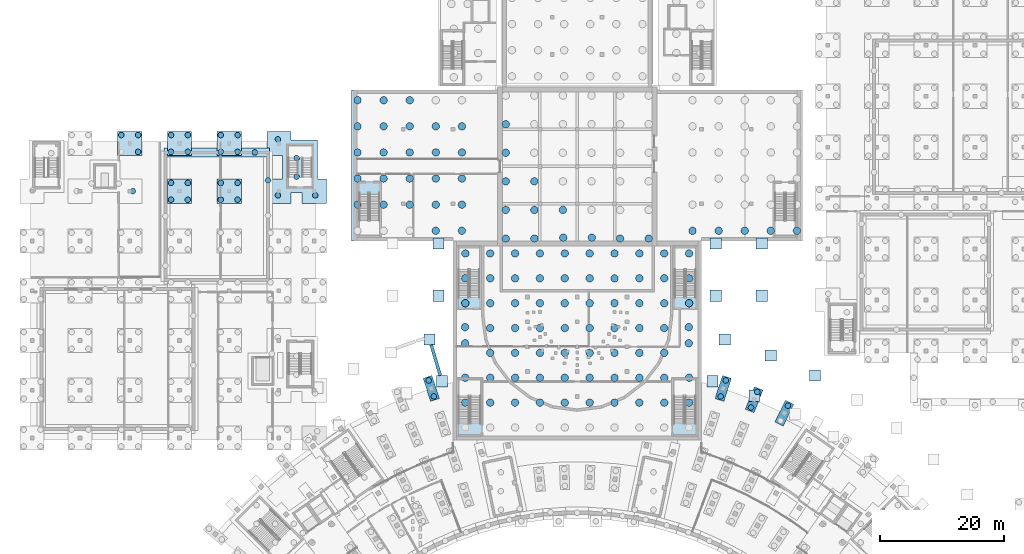
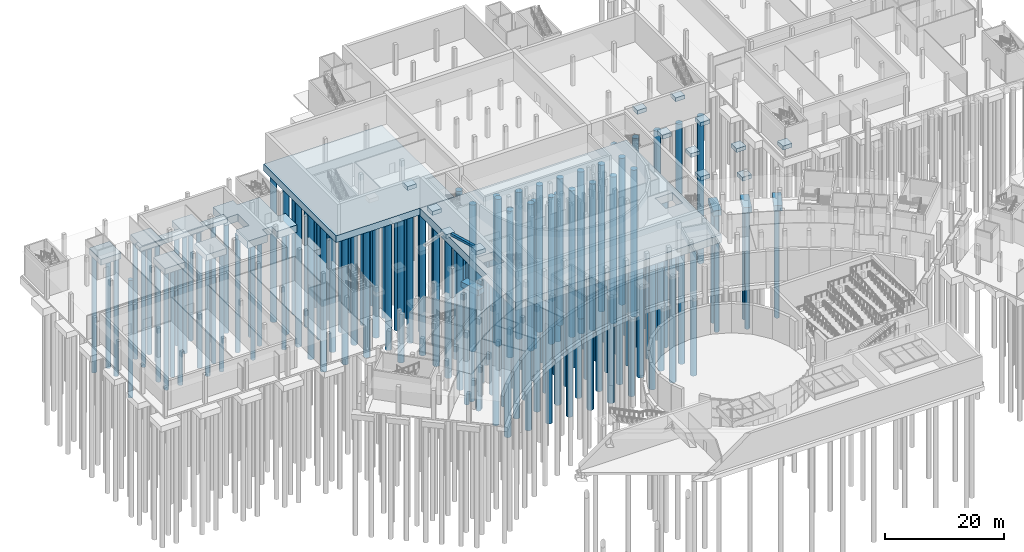
# One storey, part 6 of 66: 147 piles, 27 footings.
"""IFC4 building model written with IfcOpenShell, lengths in metres."""

from ifc_helpers import new_model, si_unit, direction, frame, origin, origin_2d, place, context, subcontext, project, spatial, polyline, circle, outline, extrude, material, material_profile, profile_set, type_object, element, save


model = new_model("IFC4")

# Units and contexts
model_context = context("Model", 3, precision=1e-05, world=origin(), true_north=direction((0.0, 1.0)))
body_context = subcontext(model_context, "Body", "Model", "MODEL_VIEW")
ifc_project = project(units=[si_unit("LENGTHUNIT", "METRE"), si_unit("AREAUNIT", "SQUARE_METRE"), si_unit("VOLUMEUNIT", "CUBIC_METRE"), si_unit("PLANEANGLEUNIT", "RADIAN"), si_unit("MASSUNIT", "GRAM", prefix="KILO")], contexts=[model_context])

# Site, building, storey
site_placement = place(None, origin())
site = spatial("IfcSite", under=ifc_project, at=site_placement, CompositionType="ELEMENT")
building_placement = place(site_placement, origin())
building = spatial("IfcBuilding", under=site, at=building_placement, Name="Lunette Opera House", CompositionType="ELEMENT")
storey_placement = place(building_placement, frame((0.0, 0.0, -6.0)))
storey = spatial("IfcBuildingStorey", under=building, at=storey_placement, Name="B1", CompositionType="ELEMENT", Elevation=-6.0)

# Piles
ifc_material_1 = material(Name="Concrete C40/50", Category="concrete")
ifc_material_profile_1 = material_profile(ifc_material_1, circle(Radius=0.60009765625, at=origin_2d()), Name="BORED PILE 1200")
ifc_profile_set_1 = profile_set([ifc_material_profile_1], Name="Concrete C40/50")
pile_type_1 = type_object("IfcPileType", Name="BORED PILE 1200", PredefinedType="BORED", material=ifc_profile_set_1)
for number, where, z_axis, x_axis, name in (
    (1, (78.0, 70.0, -1.800048828125), (0.0, 0.0, -1.0), (1.0, 0.0, 0.0), "pile-AU-R1-02"),
    (2, (78.0, 74.0, -1.800048828125), (0.0, 0.0, -1.0), (1.0, 0.0, 0.0), "pile-AU-R1-03"),
    (3, (77.949951171875, 79.550048828125, -1.800048828125), (0.0, 0.0, -1.0), (1.0, 0.0, 0.0), "pile-AU-R1-04"),
    (4, (77.949951171875, 82.14990234375, -1.800048828125), (0.0, 0.0, -1.0), (1.0, 0.0, 0.0), "pile-AU-R1-05"),
    (5, (78.0, 86.0, -1.800048828125), (0.0, 0.0, -1.0), (1.0, 0.0, 0.0), "pile-AU-R1-06"),
    (6, (78.0, 90.0, -1.800048828125), (0.0, 0.0, -1.0), (1.0, 0.0, 0.0), "pile-AU-R1-07"),
    (7, (78.0, 94.0, -1.800048828125), (0.0, 0.0, -1.0), (1.0, 0.0, 0.0), "pile-AU-R1-08"),
    (8, (82.0, 70.0, -1.800048828125), (0.0, 0.0, -1.0), (1.0, 0.0, 0.0), "pile-AU-R1-10"),
    (9, (82.0, 74.0, -1.800048828125), (0.0, 0.0, -1.0), (1.0, 0.0, 0.0), "pile-AU-R1-11"),
    (10, (82.0, 78.0, -1.800048828125), (0.0, 0.0, -1.0), (1.0, 0.0, 0.0), "pile-AU-R1-12"),
    (11, (82.0, 82.0, -1.800048828125), (0.0, 0.0, -1.0), (1.0, 0.0, 0.0), "pile-AU-R1-13"),
    (12, (82.0, 86.0, -1.800048828125), (0.0, 0.0, -1.0), (1.0, 0.0, 0.0), "pile-AU-R1-14"),
    (13, (82.0, 90.0, -1.800048828125), (0.0, 0.0, -1.0), (1.0, 0.0, 0.0), "pile-AU-R1-15"),
    (14, (82.0, 94.0, -1.800048828125), (0.0, 0.0, -1.0), (1.0, 0.0, 0.0), "pile-AU-R1-16"),
    (15, (86.0, 70.0, -1.800048828125), (0.0, 0.0, -1.0), (1.0, 0.0, 0.0), "pile-AU-R1-18"),
    (16, (86.0, 74.0, -1.800048828125), (0.0, 0.0, -1.0), (1.0, 0.0, 0.0), "pile-AU-R1-19"),
    (17, (86.0, 78.0, -1.800048828125), (0.0, 0.0, -1.0), (1.0, 0.0, 0.0), "pile-AU-R1-20"),
    (18, (86.0, 82.0, -1.800048828125), (0.0, 0.0, -1.0), (1.0, 0.0, 0.0), "pile-AU-R1-21"),
    (19, (86.0, 86.0, -1.800048828125), (0.0, 0.0, -1.0), (1.0, 0.0, 0.0), "pile-AU-R1-22"),
    (20, (86.0, 90.0, -1.800048828125), (0.0, 0.0, -1.0), (1.0, 0.0, 0.0), "pile-AU-R1-23"),
    (21, (86.0, 94.0, -1.800048828125), (0.0, 0.0, -1.0), (1.0, 0.0, 0.0), "pile-AU-R1-24"),
    (22, (90.0, 70.0, -1.800048828125), (0.0, 0.0, -1.0), (1.0, 0.0, 0.0), "pile-AU-R1-26"),
    (23, (90.0, 74.0, -1.800048828125), (0.0, 0.0, -1.0), (1.0, 0.0, 0.0), "pile-AU-R1-27"),
    (24, (90.0, 78.0, -1.800048828125), (0.0, 0.0, -1.0), (1.0, 0.0, 0.0), "pile-AU-R1-28"),
    (25, (90.0, 82.0, -1.800048828125), (0.0, 0.0, -1.0), (1.0, 0.0, 0.0), "pile-AU-R1-29"),
    (26, (90.0, 86.0, -1.800048828125), (0.0, 0.0, -1.0), (1.0, 0.0, 0.0), "pile-AU-R1-30"),
    (27, (90.0, 90.0, -1.800048828125), (0.0, 0.0, -1.0), (1.0, 0.0, 0.0), "pile-AU-R1-31"),
    (28, (90.0, 94.0, -1.800048828125), (0.0, 0.0, -1.0), (1.0, 0.0, 0.0), "pile-AU-R1-32"),
    (29, (94.0, 70.0, -1.800048828125), (0.0, 0.0, -1.0), (1.0, 0.0, 0.0), "pile-AU-R1-34"),
    (30, (94.0, 74.0, -1.800048828125), (0.0, 0.0, -1.0), (1.0, 0.0, 0.0), "pile-AU-R1-35"),
    (31, (94.0, 78.0, -1.800048828125), (0.0, 0.0, -1.0), (1.0, 0.0, 0.0), "pile-AU-R1-36"),
    (32, (94.0, 82.0, -1.800048828125), (0.0, 0.0, -1.0), (1.0, 0.0, 0.0), "pile-AU-R1-37"),
    (33, (94.0, 86.0, -1.800048828125), (0.0, 0.0, -1.0), (1.0, 0.0, 0.0), "pile-AU-R1-38"),
    (34, (94.0, 90.0, -1.800048828125), (0.0, 0.0, -1.0), (1.0, 0.0, 0.0), "pile-AU-R1-39"),
    (35, (94.0, 94.0, -1.800048828125), (0.0, 0.0, -1.0), (1.0, 0.0, 0.0), "pile-AU-R1-40"),
    (36, (98.0, 70.0, -1.800048828125), (0.0, 0.0, -1.0), (1.0, 0.0, 0.0), "pile-AU-R1-42"),
    (37, (98.0, 74.0, -1.800048828125), (0.0, 0.0, -1.0), (1.0, 0.0, 0.0), "pile-AU-R1-43"),
    (38, (98.0, 78.0, -1.800048828125), (0.0, 0.0, -1.0), (1.0, 0.0, 0.0), "pile-AU-R1-44"),
    (39, (98.0, 82.0, -1.800048828125), (0.0, 0.0, -1.0), (1.0, 0.0, 0.0), "pile-AU-R1-45"),
    (40, (98.0, 86.0, -1.800048828125), (0.0, 0.0, -1.0), (1.0, 0.0, 0.0), "pile-AU-R1-46"),
    (41, (98.0, 90.0, -1.800048828125), (0.0, 0.0, -1.0), (1.0, 0.0, 0.0), "pile-AU-R1-47"),
    (42, (98.0, 94.0, -1.800048828125), (0.0, 0.0, -1.0), (1.0, 0.0, 0.0), "pile-AU-R1-48"),
    (43, (102.0, 70.0, -1.800048828125), (0.0, 0.0, -1.0), (1.0, 0.0, 0.0), "pile-AU-R1-50"),
    (44, (102.0, 74.0, -1.800048828125), (0.0, 0.0, -1.0), (1.0, 0.0, 0.0), "pile-AU-R1-51"),
    (45, (102.0, 78.0, -1.800048828125), (0.0, 0.0, -1.0), (1.0, 0.0, 0.0), "pile-AU-R1-52"),
    (46, (102.0, 82.0, -1.800048828125), (0.0, 0.0, -1.0), (1.0, 0.0, 0.0), "pile-AU-R1-53"),
    (47, (102.0, 86.0, -1.800048828125), (0.0, 0.0, -1.0), (1.0, 0.0, 0.0), "pile-AU-R1-54"),
    (48, (102.0, 90.0, -1.800048828125), (0.0, 0.0, -1.0), (1.0, 0.0, 0.0), "pile-AU-R1-55"),
    (49, (102.0, 94.0, -1.800048828125), (0.0, 0.0, -1.0), (1.0, 0.0, 0.0), "pile-AU-R1-56"),
    (50, (106.0, 70.0, -1.800048828125), (0.0, 0.0, -1.0), (1.0, 0.0, 0.0), "pile-AU-R1-58"),
    (51, (106.0, 74.0, -1.800048828125), (0.0, 0.0, -1.0), (1.0, 0.0, 0.0), "pile-AU-R1-59"),
    (52, (106.0, 78.0, -1.800048828125), (0.0, 0.0, -1.0), (1.0, 0.0, 0.0), "pile-AU-R1-60"),
    (53, (106.0, 82.0, -1.800048828125), (0.0, 0.0, -1.0), (1.0, 0.0, 0.0), "pile-AU-R1-61"),
    (54, (106.0, 86.0, -1.800048828125), (0.0, 0.0, -1.0), (1.0, 0.0, 0.0), "pile-AU-R1-62"),
    (55, (106.0, 90.0, -1.800048828125), (0.0, 0.0, -1.0), (1.0, 0.0, 0.0), "pile-AU-R1-63"),
    (56, (106.0, 94.0, -1.800048828125), (0.0, 0.0, -1.0), (1.0, 0.0, 0.0), "pile-AU-R1-64"),
    (57, (110.0, 70.0, -1.800048828125), (0.0, 0.0, -1.0), (1.0, 0.0, 0.0), "pile-AU-R1-66"),
    (58, (110.0, 74.0, -1.800048828125), (0.0, 0.0, -1.0), (1.0, 0.0, 0.0), "pile-AU-R1-67"),
    (59, (110.0, 78.0, -1.800048828125), (0.0, 0.0, -1.0), (1.0, 0.0, 0.0), "pile-AU-R1-68"),
    (60, (110.0, 82.0, -1.800048828125), (0.0, 0.0, -1.0), (1.0, 0.0, 0.0), "pile-AU-R1-69"),
    (61, (110.0, 86.0, -1.800048828125), (0.0, 0.0, -1.0), (1.0, 0.0, 0.0), "pile-AU-R1-70"),
    (62, (110.0, 90.0, -1.800048828125), (0.0, 0.0, -1.0), (1.0, 0.0, 0.0), "pile-AU-R1-71"),
    (63, (110.0, 94.0, -1.800048828125), (0.0, 0.0, -1.0), (1.0, 0.0, 0.0), "pile-AU-R1-72"),
    (64, (114.0, 70.0, -1.800048828125), (0.0, 0.0, -1.0), (1.0, 0.0, 0.0), "pile-AU-R1-74"),
    (65, (114.0, 74.0, -1.800048828125), (0.0, 0.0, -1.0), (1.0, 0.0, 0.0), "pile-AU-R1-75"),
    (66, (113.949951171875, 79.550048828125, -1.800048828125), (0.0, 0.0, -1.0), (1.0, 0.0, 0.0), "pile-AU-R1-76"),
    (67, (113.949951171875, 82.14990234375, -1.800048828125), (0.0, 0.0, -1.0), (1.0, 0.0, 0.0), "pile-AU-R1-77"),
    (68, (114.0, 86.0, -1.800048828125), (0.0, 0.0, -1.0), (1.0, 0.0, 0.0), "pile-AU-R1-78"),
    (69, (114.0, 90.0, -1.800048828125), (0.0, 0.0, -1.0), (1.0, 0.0, 0.0), "pile-AU-R1-79"),
    (70, (114.0, 94.0, -1.800048828125), (0.0, 0.0, -1.0), (1.0, 0.0, 0.0), "pile-AU-R1-80"),
    (71, (84.5, 96.39990234375, -6.89990234375), (0.0, 0.0, -1.0), (1.0, 0.0, 0.0), "pile-ST-R2-01"),
    (72, (84.5, 101.0, -6.89990234375), (0.0, 0.0, -1.0), (1.0, 0.0, 0.0), "pile-ST-R2-02"),
    (73, (84.5, 105.60009765625, -6.89990234375), (0.0, 0.0, -1.0), (1.0, 0.0, 0.0), "pile-ST-R2-03"),
    (74, (84.5, 110.199951171875, -6.89990234375), (0.0, 0.0, -1.0), (1.0, 0.0, 0.0), "pile-ST-R2-04"),
    (75, (84.5, 114.800048828125, -6.89990234375), (0.0, 0.0, -1.0), (1.0, 0.0, 0.0), "pile-ST-R2-05"),
    (76, (89.10009765625, 96.39990234375, -6.89990234375), (0.0, 0.0, -1.0), (1.0, 0.0, 0.0), "pile-ST-R2-07"),
    (77, (89.10009765625, 101.0, -6.89990234375), (0.0, 0.0, -1.0), (1.0, 0.0, 0.0), "pile-ST-R2-08"),
    (78, (89.10009765625, 105.60009765625, -6.89990234375), (0.0, 0.0, -1.0), (1.0, 0.0, 0.0), "pile-ST-R2-09"),
    (79, (93.75, 96.550048828125, -6.89990234375), (0.0, 0.0, -1.0), (1.0, 0.0, 0.0), "pile-ST-R2-13"),
    (80, (93.699951171875, 101.0, -6.89990234375), (0.0, 0.0, -1.0), (1.0, 0.0, 0.0), "pile-ST-R2-14"),
    (81, (98.35009765625, 96.550048828125, -6.89990234375), (0.0, 0.0, -1.0), (1.0, 0.0, 0.0), "pile-ST-R2-19"),
    (82, (102.89990234375, 96.39990234375, -6.89990234375), (0.0, 0.0, -1.0), (1.0, 0.0, 0.0), "pile-ST-R2-25"),
    (83, (107.5, 96.39990234375, -6.89990234375), (0.0, 0.0, -1.0), (1.0, 0.0, 0.0), "pile-ST-R2-31"),
    (84, (60.64990234375, 101.85009765625, -1.60009765625), (0.0, 0.0, -1.0), (1.0, 0.0, 0.0), "pile-ST-R3-02"),
    (85, (60.64990234375, 106.050048828125, -1.60009765625), (0.0, 0.0, -1.0), (1.0, 0.0, 0.0), "pile-ST-R3-03"),
    (86, (60.64990234375, 110.25, -1.60009765625), (0.0, 0.0, -1.0), (1.0, 0.0, 0.0), "pile-ST-R3-04"),
    (87, (60.64990234375, 114.449951171875, -1.60009765625), (0.0, 0.0, -1.0), (1.0, 0.0, 0.0), "pile-ST-R3-05"),
    (88, (60.64990234375, 118.64990234375, -1.60009765625), (0.0, 0.0, -1.0), (1.0, 0.0, 0.0), "pile-ST-R3-06"),
    (89, (64.85009765625, 101.85009765625, -1.60009765625), (0.0, 0.0, -1.0), (1.0, 0.0, 0.0), "pile-ST-R3-08"),
    (90, (64.85009765625, 106.050048828125, -1.60009765625), (0.0, 0.0, -1.0), (1.0, 0.0, 0.0), "pile-ST-R3-09"),
    (91, (64.85009765625, 110.25, -1.60009765625), (0.0, 0.0, -1.0), (1.0, 0.0, 0.0), "pile-ST-R3-10"),
    (92, (64.85009765625, 114.449951171875, -1.60009765625), (0.0, 0.0, -1.0), (1.0, 0.0, 0.0), "pile-ST-R3-11"),
    (93, (64.85009765625, 118.64990234375, -1.60009765625), (0.0, 0.0, -1.0), (1.0, 0.0, 0.0), "pile-ST-R3-12"),
    (94, (69.050048828125, 101.85009765625, -1.60009765625), (0.0, 0.0, -1.0), (1.0, 0.0, 0.0), "pile-ST-R3-14"),
    (95, (69.050048828125, 106.050048828125, -1.60009765625), (0.0, 0.0, -1.0), (1.0, 0.0, 0.0), "pile-ST-R3-15"),
    (96, (69.050048828125, 110.25, -1.60009765625), (0.0, 0.0, -1.0), (1.0, 0.0, 0.0), "pile-ST-R3-16"),
    (97, (69.050048828125, 114.449951171875, -1.60009765625), (0.0, 0.0, -1.0), (1.0, 0.0, 0.0), "pile-ST-R3-17"),
    (98, (69.050048828125, 118.64990234375, -1.60009765625), (0.0, 0.0, -1.0), (1.0, 0.0, 0.0), "pile-ST-R3-18"),
    (99, (73.25, 97.64990234375, -1.60009765625), (0.0, 0.0, -1.0), (1.0, 0.0, 0.0), "pile-ST-R3-19"),
    (100, (73.25, 101.85009765625, -1.60009765625), (0.0, 0.0, -1.0), (1.0, 0.0, 0.0), "pile-ST-R3-20"),
    (101, (73.25, 106.050048828125, -1.60009765625), (0.0, 0.0, -1.0), (1.0, 0.0, 0.0), "pile-ST-R3-21"),
    (102, (73.25, 110.25, -1.60009765625), (0.0, 0.0, -1.0), (1.0, 0.0, 0.0), "pile-ST-R3-22"),
    (103, (73.25, 114.449951171875, -1.60009765625), (0.0, 0.0, -1.0), (1.0, 0.0, 0.0), "pile-ST-R3-23"),
    (104, (77.449951171875, 97.64990234375, -1.60009765625), (0.0, 0.0, -1.0), (1.0, 0.0, 0.0), "pile-ST-R3-25"),
    (105, (77.449951171875, 101.85009765625, -1.60009765625), (0.0, 0.0, -1.0), (1.0, 0.0, 0.0), "pile-ST-R3-26"),
    (106, (77.449951171875, 106.050048828125, -1.60009765625), (0.0, 0.0, -1.0), (1.0, 0.0, 0.0), "pile-ST-R3-27"),
    (107, (77.449951171875, 110.25, -1.60009765625), (0.0, 0.0, -1.0), (1.0, 0.0, 0.0), "pile-ST-R3-28"),
    (108, (77.449951171875, 114.449951171875, -1.60009765625), (0.0, 0.0, -1.0), (1.0, 0.0, 0.0), "pile-ST-R3-29"),
    (109, (114.550048828125, 97.64990234375, -1.60009765625), (0.0, 0.0, -1.0), (1.0, 0.0, 0.0), "pile-ST-R4-01"),
    (110, (118.75, 97.64990234375, -1.60009765625), (0.0, 0.0, -1.0), (1.0, 0.0, 0.0), "pile-ST-R4-07"),
    (111, (122.949951171875, 97.64990234375, -1.60009765625), (0.0, 0.0, -1.0), (1.0, 0.0, 0.0), "pile-ST-R4-13"),
    (112, (127.14990234375, 97.64990234375, -1.60009765625), (0.0, 0.0, -1.0), (1.0, 0.0, 0.0), "pile-ST-R4-19"),
    (113, (131.35009765625, 97.64990234375, -1.60009765625), (0.0, 0.0, -1.0), (1.0, 0.0, 0.0), "pile-ST-R4-25"),
):
    element("IfcPile", number, at=place(storey_placement, frame(where, z_axis=z_axis, x_axis=x_axis)), inside=storey, type_object=pile_type_1, Name=name, PredefinedType="BORED", context=body_context, shape_type="SweptSolid", body=[
        extrude(circle(Radius=0.60009765625, at=origin_2d()), origin(), (0.0, 0.0, 1.0), 30.10009765625),
    ])
ifc_material_2 = material(Name="Concrete C40/50", Category="concrete")
ifc_material_profile_2 = material_profile(ifc_material_2, circle(Radius=0.449951171875, at=origin_2d()), Name="BORED PILE 900")
ifc_profile_set_2 = profile_set([ifc_material_profile_2], Name="Concrete C40/50")
pile_type_2 = type_object("IfcPileType", Name="BORED PILE 900", PredefinedType="BORED", material=ifc_profile_set_2)
for number, where, z_axis, x_axis, name in (
    (114, (72.931884765625, 70.99609375, -1.300048828125), (0.0, 0.0, -1.0), (1.0, 0.0, 0.0), "pile-FC-CAP043-A"),
    (115, (72.097900390625, 73.56396484375, -1.300048828125), (0.0, 0.0, -1.0), (1.0, 0.0, 0.0), "pile-FC-CAP043-B"),
    (116, (119.068115234375, 70.99609375, -1.300048828125), (0.0, 0.0, -1.0), (1.0, 0.0, 0.0), "pile-FC-CAP044-A"),
    (117, (119.902099609375, 73.56396484375, -1.300048828125), (0.0, 0.0, -1.0), (1.0, 0.0, 0.0), "pile-FC-CAP044-B"),
    (118, (123.964111328125, 69.214111328125, -1.300048828125), (0.0, 0.0, -1.0), (1.0, 0.0, 0.0), "pile-FC-CAP045-A"),
    (119, (124.97607421875, 71.718017578125, -1.300048828125), (0.0, 0.0, -1.0), (1.0, 0.0, 0.0), "pile-FC-CAP045-B"),
    (120, (129.907958984375, 69.52099609375, -1.300048828125), (0.0, 0.0, -1.0), (1.0, 0.0, 0.0), "pile-FC-CAP046-B"),
    (121, (25.35009765625, 110.35009765625, -1.39990234375), (0.0, 0.0, -1.0), (1.0, 0.0, 0.0), "pile-RW-CAP017-2"),
    (122, (22.64990234375, 113.050048828125, -1.39990234375), (0.0, 0.0, -1.0), (1.0, 0.0, 0.0), "pile-RW-CAP017-3"),
    (123, (25.35009765625, 113.050048828125, -1.39990234375), (0.0, 0.0, -1.0), (1.0, 0.0, 0.0), "pile-RW-CAP017-4"),
    (124, (30.64990234375, 102.64990234375, -1.39990234375), (0.0, 0.0, -1.0), (1.0, 0.0, 0.0), "pile-RW-CAP023-1"),
    (125, (33.35009765625, 102.64990234375, -1.39990234375), (0.0, 0.0, -1.0), (1.0, 0.0, 0.0), "pile-RW-CAP023-2"),
    (126, (30.64990234375, 105.35009765625, -1.39990234375), (0.0, 0.0, -1.0), (1.0, 0.0, 0.0), "pile-RW-CAP023-3"),
    (127, (33.35009765625, 105.35009765625, -1.39990234375), (0.0, 0.0, -1.0), (1.0, 0.0, 0.0), "pile-RW-CAP023-4"),
    (128, (30.64990234375, 110.35009765625, -1.39990234375), (0.0, 0.0, -1.0), (1.0, 0.0, 0.0), "pile-RW-CAP024-1"),
    (129, (33.35009765625, 110.35009765625, -1.39990234375), (0.0, 0.0, -1.0), (1.0, 0.0, 0.0), "pile-RW-CAP024-2"),
    (130, (30.64990234375, 113.050048828125, -1.39990234375), (0.0, 0.0, -1.0), (1.0, 0.0, 0.0), "pile-RW-CAP024-3"),
    (131, (33.35009765625, 113.050048828125, -1.39990234375), (0.0, 0.0, -1.0), (1.0, 0.0, 0.0), "pile-RW-CAP024-4"),
    (132, (38.64990234375, 102.64990234375, -1.39990234375), (0.0, 0.0, -1.0), (1.0, 0.0, 0.0), "pile-RW-CAP030-1"),
    (133, (41.35009765625, 102.64990234375, -1.39990234375), (0.0, 0.0, -1.0), (1.0, 0.0, 0.0), "pile-RW-CAP030-2"),
    (134, (38.64990234375, 105.35009765625, -1.39990234375), (0.0, 0.0, -1.0), (1.0, 0.0, 0.0), "pile-RW-CAP030-3"),
    (135, (41.35009765625, 105.35009765625, -1.39990234375), (0.0, 0.0, -1.0), (1.0, 0.0, 0.0), "pile-RW-CAP030-4"),
    (136, (38.64990234375, 110.35009765625, -1.39990234375), (0.0, 0.0, -1.0), (1.0, 0.0, 0.0), "pile-RW-CAP031-1"),
    (137, (41.35009765625, 110.35009765625, -1.39990234375), (0.0, 0.0, -1.0), (1.0, 0.0, 0.0), "pile-RW-CAP031-2"),
    (138, (38.64990234375, 113.050048828125, -1.39990234375), (0.0, 0.0, -1.0), (1.0, 0.0, 0.0), "pile-RW-CAP031-3"),
    (139, (41.35009765625, 113.050048828125, -1.39990234375), (0.0, 0.0, -1.0), (1.0, 0.0, 0.0), "pile-RW-CAP031-4"),
    (140, (47.85009765625, 103.35009765625, -1.699951171875), (0.0, 0.0, -1.0), (1.0, 0.0, 0.0), "pile-RW-RAFT02-01"),
    (141, (47.85009765625, 112.35009765625, -1.699951171875), (0.0, 0.0, -1.0), (1.0, 0.0, 0.0), "pile-RW-RAFT02-02"),
    (142, (50.85009765625, 106.35009765625, -1.699951171875), (0.0, 0.0, -1.0), (1.0, 0.0, 0.0), "pile-RW-RAFT02-03"),
    (143, (50.85009765625, 109.35009765625, -1.699951171875), (0.0, 0.0, -1.0), (1.0, 0.0, 0.0), "pile-RW-RAFT02-04"),
    (144, (53.85009765625, 103.35009765625, -1.699951171875), (0.0, 0.0, -1.0), (1.0, 0.0, 0.0), "pile-RW-RAFT02-05"),
    (145, (24.5, 104.02490234375, -1.699951171875), (0.0, 0.0, -1.0), (1.0, 0.0, 0.0), "pile-RW-RAFT03-04"),
    (146, (44.125, 110.25, -1.10009765625), (0.0, 0.0, -1.0), (1.0, 0.0, 0.0), "pile-RW-SFOHN-1"),
    (147, (46.25, 105.75, -1.10009765625), (0.0, 0.0, -1.0), (1.0, 0.0, 0.0), "pile-RW-SFOHE-2"),
):
    element("IfcPile", number, at=place(storey_placement, frame(where, z_axis=z_axis, x_axis=x_axis)), inside=storey, type_object=pile_type_2, Name=name, PredefinedType="BORED", context=body_context, shape_type="SweptSolid", body=[
        extrude(circle(Radius=0.449951171875, at=origin_2d()), origin(), (0.0, 0.0, 1.0), 24.10009765625),
    ])

# Footings
ifc_material_3 = material(Name="Concrete C40/50", Category="concrete")
footing_type_1 = type_object("IfcFootingType", Name="CORE RAFT 1500", PredefinedType="PILE_CAP", material=ifc_material_3)
footing_1_placement = place(storey_placement, frame((0.0, 0.0, -1.800048828125)))
element("IfcFooting", 148, at=footing_1_placement, inside=storey, type_object=footing_type_1, Name="ftg-RW-RAFT02", PredefinedType="PILE_CAP", context=body_context, shape_type="SweptSolid", body=[
    extrude(outline(polyline([(48.60009765625, 109.75), (48.60009765625, 105.949951171875), (46.050048828125, 105.949951171875), (46.050048828125, 102.050048828125), (49.949951171875, 102.050048828125), (49.949951171875, 103.800048828125), (51.75, 103.800048828125), (51.75, 102.050048828125), (55.64990234375, 102.050048828125), (55.64990234375, 105.949951171875), (54.235107421875, 105.949951171875), (54.235107421875, 112.235107421875), (49.949951171875, 112.235107421875), (49.949951171875, 113.64990234375), (46.050048828125, 113.64990234375), (46.050048828125, 109.75), (48.60009765625, 109.75)])), origin(), (0.0, 0.0, 1.0), 1.5),
])
ifc_material_4 = material(Name="Concrete C35/45", Category="concrete")
footing_type_2 = type_object("IfcFootingType", Name="PAD FOOTING 1800X1800", PredefinedType="PAD_FOOTING", material=ifc_material_4)
footing_2_placement = place(storey_placement, frame((0.0, 0.0, 5.169921875)))
element("IfcFooting", 149, at=footing_2_placement, inside=storey, type_object=footing_type_2, Name="ftg-PP-PAD-PC-WI04", PredefinedType="PAD_FOOTING", context=body_context, shape_type="SweptSolid", body=[
    extrude(outline(polyline([(75.14404296875, 72.5458984375), (75.14404296875, 74.345947265625), (73.343994140625, 74.345947265625), (73.343994140625, 72.5458984375), (75.14404296875, 72.5458984375)])), origin(), (0.0, 0.0, 1.0), 0.800048828125),
])
footing_3_placement = place(storey_placement, frame((0.0, 0.0, 5.169921875)))
element("IfcFooting", 150, at=footing_3_placement, inside=storey, type_object=footing_type_2, Name="ftg-PP-PAD-PC-WO04", PredefinedType="PAD_FOOTING", context=body_context, shape_type="SweptSolid", body=[
    extrude(outline(polyline([(73.156005859375, 79.257080078125), (73.156005859375, 81.056884765625), (71.35595703125, 81.056884765625), (71.35595703125, 79.257080078125), (73.156005859375, 79.257080078125)])), origin(), (0.0, 0.0, 1.0), 0.800048828125),
])
footing_4_placement = place(storey_placement, frame((0.0, 0.0, 5.169921875)))
element("IfcFooting", 151, at=footing_4_placement, inside=storey, type_object=footing_type_2, Name="ftg-PP-PAD-PC-EI01", PredefinedType="PAD_FOOTING", context=body_context, shape_type="SweptSolid", body=[
    extrude(outline(polyline([(118.656005859375, 72.5458984375), (118.656005859375, 74.345947265625), (116.85595703125, 74.345947265625), (116.85595703125, 72.5458984375), (118.656005859375, 72.5458984375)])), origin(), (0.0, 0.0, 1.0), 0.800048828125),
])
footing_5_placement = place(storey_placement, frame((0.0, 0.0, 5.169921875)))
element("IfcFooting", 152, at=footing_5_placement, inside=storey, type_object=footing_type_2, Name="ftg-PP-PAD-PC-EO01", PredefinedType="PAD_FOOTING", context=body_context, shape_type="SweptSolid", body=[
    extrude(outline(polyline([(120.64404296875, 79.257080078125), (120.64404296875, 81.056884765625), (118.843994140625, 81.056884765625), (118.843994140625, 79.257080078125), (120.64404296875, 79.257080078125)])), origin(), (0.0, 0.0, 1.0), 0.800048828125),
])
footing_6_placement = place(storey_placement, frame((0.0, 0.0, 4.14990234375)))
element("IfcFooting", 153, at=footing_6_placement, inside=storey, type_object=footing_type_2, Name="ftg-PP-PAD-PC-EI02", PredefinedType="PAD_FOOTING", context=body_context, shape_type="SweptSolid", body=[
    extrude(outline(polyline([(125.41796875, 70.194091796875), (125.41796875, 71.993896484375), (123.617919921875, 71.993896484375), (123.617919921875, 70.194091796875), (125.41796875, 70.194091796875)])), origin(), (0.0, 0.0, 1.0), 0.800048828125),
])
footing_7_placement = place(storey_placement, frame((0.0, 0.0, 5.169921875)))
element("IfcFooting", 154, at=footing_7_placement, inside=storey, type_object=footing_type_2, Name="ftg-PP-PAD-PC-EO02", PredefinedType="PAD_FOOTING", context=body_context, shape_type="SweptSolid", body=[
    extrude(outline(polyline([(128.02392578125, 76.68994140625), (128.02392578125, 78.489990234375), (126.22412109375, 78.489990234375), (126.22412109375, 76.68994140625), (128.02392578125, 76.68994140625)])), origin(), (0.0, 0.0, 1.0), 0.800048828125),
])
footing_8_placement = place(storey_placement, frame((0.0, 0.0, 5.169921875)))
element("IfcFooting", 155, at=footing_8_placement, inside=storey, type_object=footing_type_2, Name="ftg-PP-PAD-PC-EO03", PredefinedType="PAD_FOOTING", context=body_context, shape_type="SweptSolid", body=[
    extrude(outline(polyline([(135.132080078125, 73.446044921875), (135.132080078125, 75.24609375), (133.33203125, 75.24609375), (133.33203125, 73.446044921875), (135.132080078125, 73.446044921875)])), origin(), (0.0, 0.0, 1.0), 0.800048828125),
])
footing_9_placement = place(storey_placement, frame((0.0, 0.0, 5.169921875)))
element("IfcFooting", 156, at=footing_9_placement, inside=storey, type_object=footing_type_2, Name="ftg-PP-PADFLW1B", PredefinedType="PAD_FOOTING", context=body_context, shape_type="SweptSolid", body=[
    extrude(outline(polyline([(74.60009765625, 86.300048828125), (74.60009765625, 88.10009765625), (72.800048828125, 88.10009765625), (72.800048828125, 86.300048828125), (74.60009765625, 86.300048828125)])), origin(), (0.0, 0.0, 1.0), 0.800048828125),
])
footing_10_placement = place(storey_placement, frame((0.0, 0.0, 5.169921875)))
element("IfcFooting", 157, at=footing_10_placement, inside=storey, type_object=footing_type_2, Name="ftg-PP-PADFLW2B", PredefinedType="PAD_FOOTING", context=body_context, shape_type="SweptSolid", body=[
    extrude(outline(polyline([(74.60009765625, 94.699951171875), (74.60009765625, 96.5), (72.800048828125, 96.5), (72.800048828125, 94.699951171875), (74.60009765625, 94.699951171875)])), origin(), (0.0, 0.0, 1.0), 0.800048828125),
])
footing_11_placement = place(storey_placement, frame((0.0, 0.0, 5.169921875)))
element("IfcFooting", 158, at=footing_11_placement, inside=storey, type_object=footing_type_2, Name="ftg-PP-PADFLE3A", PredefinedType="PAD_FOOTING", context=body_context, shape_type="SweptSolid", body=[
    extrude(outline(polyline([(119.199951171875, 86.300048828125), (119.199951171875, 88.10009765625), (117.39990234375, 88.10009765625), (117.39990234375, 86.300048828125), (119.199951171875, 86.300048828125)])), origin(), (0.0, 0.0, 1.0), 0.800048828125),
])
footing_12_placement = place(storey_placement, frame((0.0, 0.0, 5.169921875)))
element("IfcFooting", 159, at=footing_12_placement, inside=storey, type_object=footing_type_2, Name="ftg-PP-PADFLE3B", PredefinedType="PAD_FOOTING", context=body_context, shape_type="SweptSolid", body=[
    extrude(outline(polyline([(126.60009765625, 86.300048828125), (126.60009765625, 88.10009765625), (124.800048828125, 88.10009765625), (124.800048828125, 86.300048828125), (126.60009765625, 86.300048828125)])), origin(), (0.0, 0.0, 1.0), 0.800048828125),
])
footing_13_placement = place(storey_placement, frame((0.0, 0.0, 5.169921875)))
element("IfcFooting", 160, at=footing_13_placement, inside=storey, type_object=footing_type_2, Name="ftg-PP-PADFLE4A", PredefinedType="PAD_FOOTING", context=body_context, shape_type="SweptSolid", body=[
    extrude(outline(polyline([(119.199951171875, 94.699951171875), (119.199951171875, 96.5), (117.39990234375, 96.5), (117.39990234375, 94.699951171875), (119.199951171875, 94.699951171875)])), origin(), (0.0, 0.0, 1.0), 0.800048828125),
])
footing_14_placement = place(storey_placement, frame((0.0, 0.0, 5.169921875)))
element("IfcFooting", 161, at=footing_14_placement, inside=storey, type_object=footing_type_2, Name="ftg-PP-PADFLE4B", PredefinedType="PAD_FOOTING", context=body_context, shape_type="SweptSolid", body=[
    extrude(outline(polyline([(126.60009765625, 94.699951171875), (126.60009765625, 96.5), (124.800048828125, 96.5), (124.800048828125, 94.699951171875), (126.60009765625, 94.699951171875)])), origin(), (0.0, 0.0, 1.0), 0.800048828125),
])
ifc_material_5 = material(Name="Concrete C40/50", Category="concrete")
footing_type_3 = type_object("IfcFootingType", Name="PILE CAP 3900X1500", PredefinedType="PILE_CAP", material=ifc_material_5)
footing_15_placement = place(storey_placement, frame((0.0, 0.0, -1.39990234375)))
element("IfcFooting", 162, at=footing_15_placement, inside=storey, type_object=footing_type_3, Name="ftg-FC-CAP043", PredefinedType="PILE_CAP", context=body_context, shape_type="SweptSolid", body=[
    extrude(outline(polyline([(72.404052734375, 70.194091796875), (73.8310546875, 70.656982421875), (72.6259765625, 74.365966796875), (71.198974609375, 73.903076171875), (72.404052734375, 70.194091796875)])), origin(), (0.0, 0.0, 1.0), 1.099853515625),
])
footing_16_placement = place(storey_placement, frame((0.0, 0.0, -1.39990234375)))
element("IfcFooting", 163, at=footing_16_placement, inside=storey, type_object=footing_type_3, Name="ftg-FC-CAP044", PredefinedType="PILE_CAP", context=body_context, shape_type="SweptSolid", body=[
    extrude(outline(polyline([(118.1689453125, 70.656982421875), (119.595947265625, 70.194091796875), (120.801025390625, 73.903076171875), (119.3740234375, 74.365966796875), (118.1689453125, 70.656982421875)])), origin(), (0.0, 0.0, 1.0), 1.099853515625),
])
footing_17_placement = place(storey_placement, frame((0.0, 0.0, -1.39990234375)))
element("IfcFooting", 164, at=footing_17_placement, inside=storey, type_object=footing_type_3, Name="ftg-FC-CAP045", PredefinedType="PILE_CAP", context=body_context, shape_type="SweptSolid", body=[
    extrude(outline(polyline([(123.0439453125, 68.93896484375), (124.43505859375, 68.376953125), (125.89599609375, 71.992919921875), (124.5048828125, 72.554931640625), (123.0439453125, 68.93896484375)])), origin(), (0.0, 0.0, 1.0), 1.099853515625),
])
footing_18_placement = place(storey_placement, frame((0.0, 0.0, -1.39990234375)))
element("IfcFooting", 165, at=footing_18_placement, inside=storey, type_object=footing_type_3, Name="ftg-FC-CAP046", PredefinedType="PILE_CAP", context=body_context, shape_type="SweptSolid", body=[
    extrude(outline(polyline([(127.787109375, 66.884033203125), (129.135009765625, 66.22705078125), (130.844970703125, 69.73193359375), (129.4970703125, 70.388916015625), (127.787109375, 66.884033203125)])), origin(), (0.0, 0.0, 1.0), 1.099853515625),
])
ifc_material_6 = material(Name="Concrete C35/45", Category="concrete")
footing_type_4 = type_object("IfcFootingType", Name="PILE CAP 3900X3900", PredefinedType="PILE_CAP", material=ifc_material_6)
footing_19_placement = place(storey_placement, frame((0.0, 0.0, -1.5)))
element("IfcFooting", 166, at=footing_19_placement, inside=storey, type_object=footing_type_4, Name="ftg-RW-CAP017", PredefinedType="PILE_CAP", context=body_context, shape_type="SweptSolid", body=[
    extrude(outline(polyline([(25.949951171875, 109.75), (25.949951171875, 113.64990234375), (22.050048828125, 113.64990234375), (22.050048828125, 109.75), (25.949951171875, 109.75)])), origin(), (0.0, 0.0, 1.0), 1.199951171875),
])
footing_20_placement = place(storey_placement, frame((0.0, 0.0, -1.5)))
element("IfcFooting", 167, at=footing_20_placement, inside=storey, type_object=footing_type_4, Name="ftg-RW-CAP023", PredefinedType="PILE_CAP", context=body_context, shape_type="SweptSolid", body=[
    extrude(outline(polyline([(33.949951171875, 102.050048828125), (33.949951171875, 105.949951171875), (30.050048828125, 105.949951171875), (30.050048828125, 102.050048828125), (33.949951171875, 102.050048828125)])), origin(), (0.0, 0.0, 1.0), 1.199951171875),
])
footing_21_placement = place(storey_placement, frame((0.0, 0.0, -1.5)))
element("IfcFooting", 168, at=footing_21_placement, inside=storey, type_object=footing_type_4, Name="ftg-RW-CAP024", PredefinedType="PILE_CAP", context=body_context, shape_type="SweptSolid", body=[
    extrude(outline(polyline([(33.949951171875, 109.75), (33.949951171875, 113.64990234375), (30.050048828125, 113.64990234375), (30.050048828125, 109.75), (33.949951171875, 109.75)])), origin(), (0.0, 0.0, 1.0), 1.199951171875),
])
footing_22_placement = place(storey_placement, frame((0.0, 0.0, -1.5)))
element("IfcFooting", 169, at=footing_22_placement, inside=storey, type_object=footing_type_4, Name="ftg-RW-CAP030", PredefinedType="PILE_CAP", context=body_context, shape_type="SweptSolid", body=[
    extrude(outline(polyline([(41.949951171875, 102.050048828125), (41.949951171875, 105.949951171875), (38.050048828125, 105.949951171875), (38.050048828125, 102.050048828125), (41.949951171875, 102.050048828125)])), origin(), (0.0, 0.0, 1.0), 1.199951171875),
])
footing_23_placement = place(storey_placement, frame((0.0, 0.0, -1.5)))
element("IfcFooting", 170, at=footing_23_placement, inside=storey, type_object=footing_type_4, Name="ftg-RW-CAP031", PredefinedType="PILE_CAP", context=body_context, shape_type="SweptSolid", body=[
    extrude(outline(polyline([(41.949951171875, 109.75), (41.949951171875, 113.64990234375), (38.050048828125, 113.64990234375), (38.050048828125, 109.75), (41.949951171875, 109.75)])), origin(), (0.0, 0.0, 1.0), 1.199951171875),
])
ifc_material_7 = material(Name="Concrete C40/50", Category="concrete")
footing_type_5 = type_object("IfcFootingType", Name="PILED RAFT", PredefinedType="PILE_CAP", material=ifc_material_7)
footing_24_placement = place(storey_placement, frame((0.0, 0.0, -1.89990234375)))
element("IfcFooting", 171, at=footing_24_placement, inside=storey, type_object=footing_type_5, Name="ftg-AU-R1", PredefinedType="PILE_CAP", context=body_context, shape_type="SweptSolid", body=[
    extrude(outline(polyline([(76.0, 64.0), (116.0, 64.0), (116.0, 95.949951171875), (76.0, 95.949951171875), (76.0, 64.0)]), holes=[polyline([(80.35009765625, 75.25), (77.050048828125, 75.25), (77.050048828125, 78.75), (80.35009765625, 78.75), (80.35009765625, 75.25)]), polyline([(114.949951171875, 75.25), (111.64990234375, 75.25), (111.64990234375, 78.75), (114.949951171875, 78.75), (114.949951171875, 75.25)])]), origin(), (0.0, 0.0, 1.0), 1.599853515625),
])
ifc_material_8 = material(Name="Concrete C40/50", Category="concrete")
footing_type_6 = type_object("IfcFootingType", Name="STAGE RAFT 1400", PredefinedType="PILE_CAP", material=ifc_material_8)
footing_25_placement = place(storey_placement, frame((0.0, 0.0, -1.699951171875)))
element("IfcFooting", 172, at=footing_25_placement, inside=storey, type_object=footing_type_6, Name="ftg-ST-R3", PredefinedType="PILE_CAP", context=body_context, shape_type="SweptSolid", body=[
    extrude(outline(polyline([(82.60009765625, 96.0), (82.60009765625, 120.300048828125), (59.699951171875, 120.300048828125), (59.699951171875, 96.0), (82.60009765625, 96.0)])), origin(), (0.0, 0.0, 1.0), 1.39990234375),
])
ifc_material_9 = material(Name="Concrete C35/45", Category="concrete")
footing_type_7 = type_object("IfcFootingType", Name="STRIP FOOTING 1800X900", PredefinedType="STRIP_FOOTING", material=ifc_material_9)
footing_26_placement = place(storey_placement, frame((0.0, 0.0, -1.199951171875)))
element("IfcFooting", 173, at=footing_26_placement, inside=storey, type_object=footing_type_7, Name="ftg-RW-SFOHN", PredefinedType="STRIP_FOOTING", context=body_context, shape_type="SweptSolid", body=[
    extrude(outline(polyline([(29.5, 110.949951171875), (29.5, 109.550048828125), (46.5, 109.550048828125), (46.5, 110.949951171875), (29.5, 110.949951171875)])), origin(), (0.0, 0.0, 1.0), 0.89990234375),
])
ifc_material_10 = material(Name="Concrete C35/45", Category="concrete")
footing_type_8 = type_object("IfcFootingType", Name="STRIP FOOTING 500X500", PredefinedType="STRIP_FOOTING", material=ifc_material_10)
footing_27_placement = place(storey_placement, frame((0.0, 0.0, 5.469970703125)))
element("IfcFooting", 174, at=footing_27_placement, inside=storey, type_object=footing_type_8, Name="ftg-PP-PP-L00-P001-1", PredefinedType="STRIP_FOOTING", context=body_context, shape_type="SweptSolid", body=[
    extrude(outline(polyline([(73.73193359375, 74.2958984375), (72.26806640625, 79.237060546875), (72.748046875, 79.37890625), (74.2109375, 74.43798828125), (73.73193359375, 74.2958984375)])), origin(), (0.0, 0.0, 1.0), 0.5),
])

save(model, "model.ifc")
